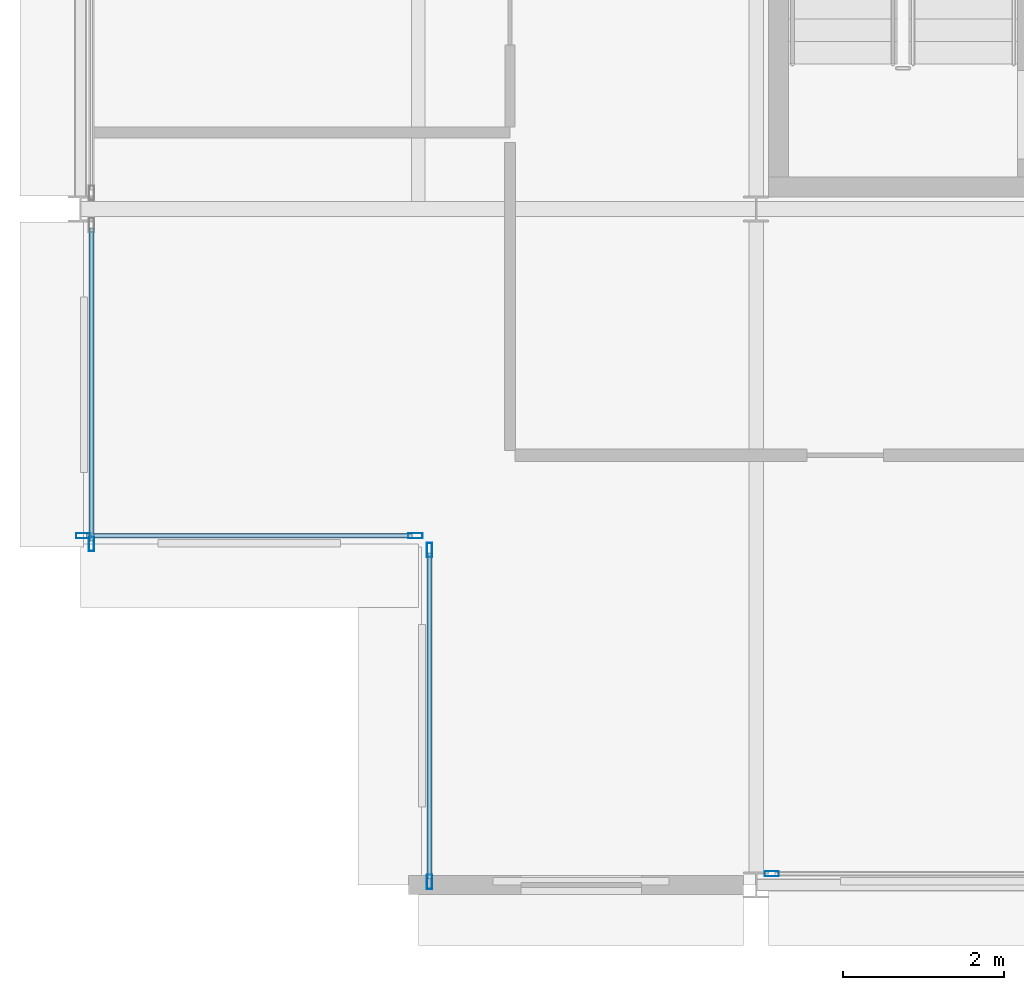
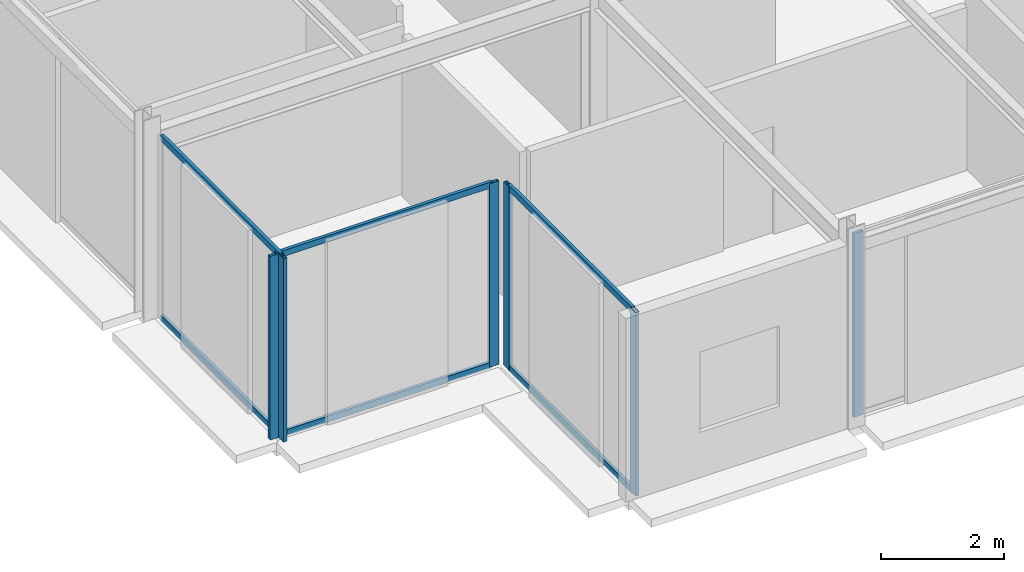
# One storey, part 3 of 25: 12 members, 4 elements without a shape of their own.
"""IFC4 building model written with IfcOpenShell, lengths in metres."""

from ifc_helpers import new_model, si_unit, direction, frame, origin, origin_2d, place, context, subcontext, project, spatial, hollow_rectangle, extrude, material, layer, layer_set, material_profile, profile_set, type_object, element, aggregate, save


model = new_model("IFC4")

# Units and contexts
model_context = context("Model", 3, precision=1e-05, world=origin(), true_north=direction((0.0, 1.0)))
body_context = subcontext(model_context, "Body", "Model", "MODEL_VIEW")
ifc_project = project(units=[si_unit("LENGTHUNIT", "METRE"), si_unit("AREAUNIT", "SQUARE_METRE"), si_unit("VOLUMEUNIT", "CUBIC_METRE"), si_unit("PLANEANGLEUNIT", "RADIAN"), si_unit("MASSUNIT", "GRAM", prefix="KILO")], contexts=[model_context])

# Site, building, storey
site_placement = place(None, origin())
site = spatial("IfcSite", under=ifc_project, at=site_placement, CompositionType="ELEMENT")
building_placement = place(site_placement, origin())
building = spatial("IfcBuilding", under=site, at=building_placement, Name="Nerrivon Quay Data Exchange", CompositionType="ELEMENT")
storey_placement = place(building_placement, frame((0.0, 0.0, 318.199951171875)))
storey = spatial("IfcBuildingStorey", under=building, at=storey_placement, Name="L76", CompositionType="ELEMENT", Elevation=318.199951171875)

# Curtain wall, member
ifc_material = material(Name="Anodised aluminium 6063-T6", Category="aluminium")
ifc_layer = layer(ifc_material, 0.195068359375)
ifc_layer_set = layer_set([ifc_layer], Name="Anodised aluminium 6063-T6")
curtain_wall_type = type_object("IfcCurtainWallType", Name="CW-SYS-06", PredefinedType="NOTDEFINED", material=ifc_layer_set)
curtain_wall_1_placement = place(storey_placement, origin())
curtain_wall_1 = element("IfcCurtainWall", 1, at=curtain_wall_1_placement, inside=storey, type_object=curtain_wall_type, Name="L76 Unitised Curtain Wall 4", PredefinedType="NOTDEFINED")
ifc_material_profile_1 = material_profile(ifc_material, hollow_rectangle(XDim=0.06494140625, YDim=0.179931640625, WallThickness=0.00341796875, at=origin_2d()), Name="ALU-MULL-180x65")
ifc_profile_set_1 = profile_set([ifc_material_profile_1], Name="Anodised aluminium 6063-T6")
member_type_1 = type_object("IfcMemberType", Name="CWM-180x65", PredefinedType="MULLION", material=ifc_profile_set_1)
member_1_placement = place(storey_placement, frame((8.593017578125, 0.139892578125, 0.0), z_axis=(0.0, 0.0, 1.0), x_axis=(0.0, -1.0, 0.0)))
member_1 = element("IfcMember", 2, at=member_1_placement, type_object=member_type_1, Name="CW06 mullion 2", PredefinedType="MULLION", context=body_context, shape_type="SweptSolid", body=[
    extrude(hollow_rectangle(XDim=0.06494140625, YDim=0.179931640625, WallThickness=0.00341796875, at=origin_2d()), origin(), (0.0, 0.0, 1.0), 3.650146484375),
])
aggregate(curtain_wall_1, [member_1])

# Curtain wall, members
curtain_wall_2_placement = place(storey_placement, origin())
curtain_wall_2 = element("IfcCurtainWall", 3, at=curtain_wall_2_placement, inside=storey, type_object=curtain_wall_type, Name="L76 Unitised Curtain Wall 6", PredefinedType="NOTDEFINED")
member_2_placement = place(storey_placement, frame((4.340087890625, 0.03759765625, 0.0), z_axis=(0.0, 0.0, 1.0), x_axis=(-1.0, 0.0, 0.0)))
member_2 = element("IfcMember", 4, at=member_2_placement, type_object=member_type_1, Name="CW06 mullion 1", PredefinedType="MULLION", context=body_context, shape_type="SweptSolid", body=[
    extrude(hollow_rectangle(XDim=0.06494140625, YDim=0.179931640625, WallThickness=0.00341796875, at=origin_2d()), origin(), (0.0, 0.0, 1.0), 3.650146484375),
])
member_3_placement = place(storey_placement, frame((4.340087890625, 4.16259765625, 0.0), z_axis=(0.0, 0.0, 1.0), x_axis=(-1.0, 0.0, 0.0)))
member_3 = element("IfcMember", 5, at=member_3_placement, type_object=member_type_1, Name="CW06 mullion 2", PredefinedType="MULLION", context=body_context, shape_type="SweptSolid", body=[
    extrude(hollow_rectangle(XDim=0.06494140625, YDim=0.179931640625, WallThickness=0.00341796875, at=origin_2d()), origin(), (0.0, 0.0, 1.0), 3.650146484375),
])

curtain_wall_3_placement = place(storey_placement, origin())
curtain_wall_3 = element("IfcCurtainWall", 6, at=curtain_wall_3_placement, inside=storey, type_object=curtain_wall_type, Name="L76 Unitised Curtain Wall 7", PredefinedType="NOTDEFINED")
member_4_placement = place(storey_placement, frame((4.16259765625, 4.340087890625, 0.0), z_axis=(0.0, 0.0, 1.0), x_axis=(0.0, -1.0, 0.0)))
member_4 = element("IfcMember", 7, at=member_4_placement, type_object=member_type_1, Name="CW06 mullion 1", PredefinedType="MULLION", context=body_context, shape_type="SweptSolid", body=[
    extrude(hollow_rectangle(XDim=0.06494140625, YDim=0.179931640625, WallThickness=0.00341796875, at=origin_2d()), origin(), (0.0, 0.0, 1.0), 3.650146484375),
])
member_5_placement = place(storey_placement, frame((0.03759765625, 4.340087890625, 0.0), z_axis=(0.0, 0.0, 1.0), x_axis=(0.0, -1.0, 0.0)))
member_5 = element("IfcMember", 8, at=member_5_placement, type_object=member_type_1, Name="CW06 mullion 2", PredefinedType="MULLION", context=body_context, shape_type="SweptSolid", body=[
    extrude(hollow_rectangle(XDim=0.06494140625, YDim=0.179931640625, WallThickness=0.00341796875, at=origin_2d()), origin(), (0.0, 0.0, 1.0), 3.650146484375),
])

# Curtain wall, member
curtain_wall_4_placement = place(storey_placement, origin())
curtain_wall_4 = element("IfcCurtainWall", 9, at=curtain_wall_4_placement, inside=storey, type_object=curtain_wall_type, Name="L76 Unitised Curtain Wall 8", PredefinedType="NOTDEFINED")
member_6_placement = place(storey_placement, frame((0.139892578125, 4.237548828125, 0.0), z_axis=(0.0, 0.0, 1.0), x_axis=(-1.0, 0.0, 0.0)))
member_6 = element("IfcMember", 10, at=member_6_placement, type_object=member_type_1, Name="CW06 mullion 1", PredefinedType="MULLION", context=body_context, shape_type="SweptSolid", body=[
    extrude(hollow_rectangle(XDim=0.06494140625, YDim=0.179931640625, WallThickness=0.00341796875, at=origin_2d()), origin(), (0.0, 0.0, 1.0), 3.650146484375),
])

# Member
ifc_material_profile_2 = material_profile(ifc_material, hollow_rectangle(XDim=0.06005859375, YDim=0.1201171875, WallThickness=0.003173828125, at=origin_2d()), Name="ALU-TRAN-120x60")
ifc_profile_set_2 = profile_set([ifc_material_profile_2], Name="Anodised aluminium 6063-T6")
member_type_2 = type_object("IfcMemberType", Name="CWT-120x60", PredefinedType="USERDEFINED", material=ifc_profile_set_2)
member_7_placement = place(storey_placement, frame((4.340087890625, 0.074951171875, 0.032470703125), z_axis=(0.0, 1.0, 0.0), x_axis=(-1.0, 0.0, 0.0)))
member_7 = element("IfcMember", 11, at=member_7_placement, type_object=member_type_2, Name="CW06 transom 1.1", ObjectType="TRANSOM", PredefinedType="USERDEFINED", context=body_context, shape_type="SweptSolid", body=[
    extrude(hollow_rectangle(XDim=0.06005859375, YDim=0.1201171875, WallThickness=0.003173828125, at=origin_2d()), origin(), (0.0, 0.0, 1.0), 4.050048828125),
])

member_8_placement = place(storey_placement, frame((4.340087890625, 0.074951171875, 3.617431640625), z_axis=(0.0, 1.0, 0.0), x_axis=(-1.0, 0.0, 0.0)))
member_8 = element("IfcMember", 12, at=member_8_placement, type_object=member_type_2, Name="CW06 transom 1.2", ObjectType="TRANSOM", PredefinedType="USERDEFINED", context=body_context, shape_type="SweptSolid", body=[
    extrude(hollow_rectangle(XDim=0.06005859375, YDim=0.1201171875, WallThickness=0.003173828125, at=origin_2d()), origin(), (0.0, 0.0, 1.0), 4.050048828125),
])

aggregate(curtain_wall_2, [member_2, member_3, member_7, member_8])

member_9_placement = place(storey_placement, frame((4.125, 4.340087890625, 0.032470703125), z_axis=(-1.0, 0.0, 0.0), x_axis=(0.0, -1.0, 0.0)))
member_9 = element("IfcMember", 13, at=member_9_placement, type_object=member_type_2, Name="CW06 transom 1.1", ObjectType="TRANSOM", PredefinedType="USERDEFINED", context=body_context, shape_type="SweptSolid", body=[
    extrude(hollow_rectangle(XDim=0.06005859375, YDim=0.1201171875, WallThickness=0.003173828125, at=origin_2d()), origin(), (0.0, 0.0, 1.0), 4.050048828125),
])

member_10_placement = place(storey_placement, frame((4.125, 4.340087890625, 3.617431640625), z_axis=(-1.0, 0.0, 0.0), x_axis=(0.0, -1.0, 0.0)))
member_10 = element("IfcMember", 14, at=member_10_placement, type_object=member_type_2, Name="CW06 transom 1.2", ObjectType="TRANSOM", PredefinedType="USERDEFINED", context=body_context, shape_type="SweptSolid", body=[
    extrude(hollow_rectangle(XDim=0.06005859375, YDim=0.1201171875, WallThickness=0.003173828125, at=origin_2d()), origin(), (0.0, 0.0, 1.0), 4.050048828125),
])

aggregate(curtain_wall_3, [member_4, member_5, member_9, member_10])

member_11_placement = place(storey_placement, frame((0.139892578125, 4.27490234375, 0.032470703125), z_axis=(0.0, 1.0, 0.0), x_axis=(-1.0, 0.0, 0.0)))
member_11 = element("IfcMember", 15, at=member_11_placement, type_object=member_type_2, Name="CW06 transom 1.1", ObjectType="TRANSOM", PredefinedType="USERDEFINED", context=body_context, shape_type="SweptSolid", body=[
    extrude(hollow_rectangle(XDim=0.06005859375, YDim=0.1201171875, WallThickness=0.003173828125, at=origin_2d()), origin(), (0.0, 0.0, 1.0), 3.88671875),
])

member_12_placement = place(storey_placement, frame((0.139892578125, 4.27490234375, 3.617431640625), z_axis=(0.0, 1.0, 0.0), x_axis=(-1.0, 0.0, 0.0)))
member_12 = element("IfcMember", 16, at=member_12_placement, type_object=member_type_2, Name="CW06 transom 1.2", ObjectType="TRANSOM", PredefinedType="USERDEFINED", context=body_context, shape_type="SweptSolid", body=[
    extrude(hollow_rectangle(XDim=0.06005859375, YDim=0.1201171875, WallThickness=0.003173828125, at=origin_2d()), origin(), (0.0, 0.0, 1.0), 3.88671875),
])

aggregate(curtain_wall_4, [member_6, member_11, member_12])

save(model, "model.ifc")
